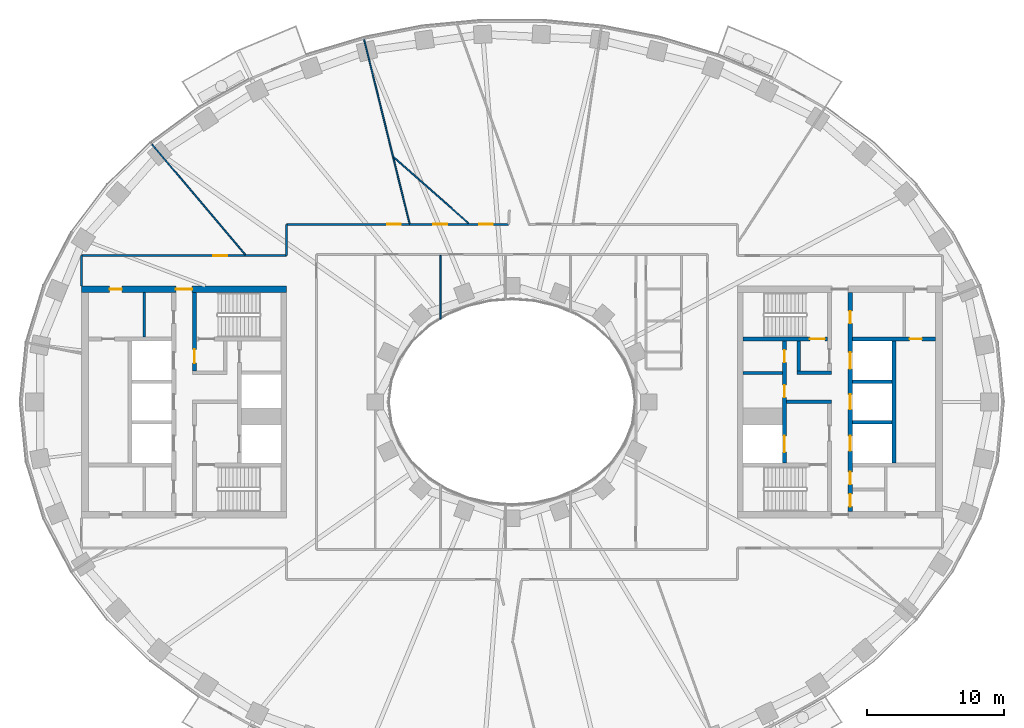
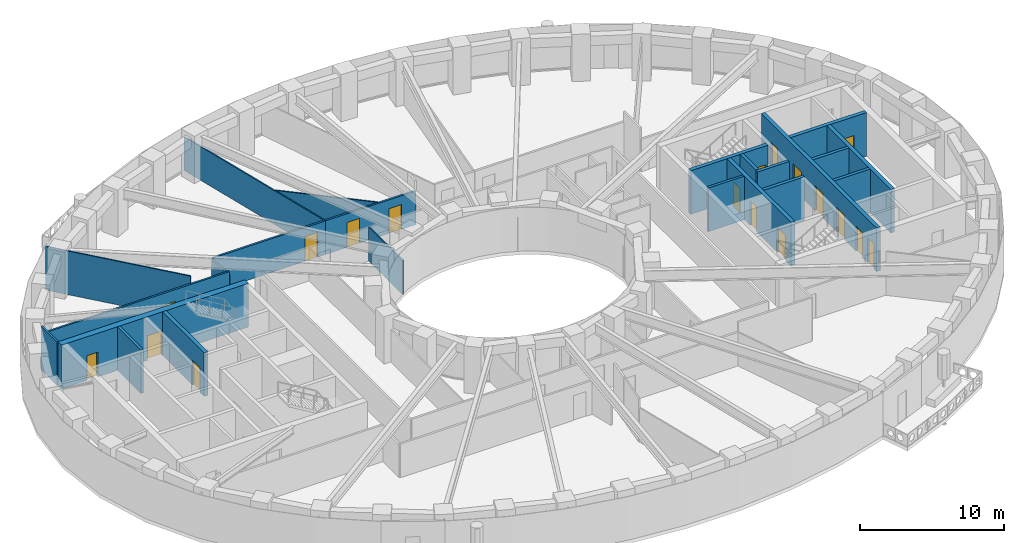
# One storey, part 5 of 15: 23 walls, 18 doors, 18 openings.
"""IFC4 building model written with IfcOpenShell, lengths in metres."""

from ifc_helpers import new_model, si_unit, direction, frame, frame_2d, origin, place, context, subcontext, project, spatial, rectangle, extrude, material, layer, layer_set, type_object, element, fill, save


model = new_model("IFC4")

# Units and contexts
model_context = context("Model", 3, precision=1e-05, world=origin(), true_north=direction((0.0, 1.0)))
body_context = subcontext(model_context, "Body", "Model", "MODEL_VIEW")
ifc_project = project(units=[si_unit("LENGTHUNIT", "METRE"), si_unit("AREAUNIT", "SQUARE_METRE"), si_unit("VOLUMEUNIT", "CUBIC_METRE"), si_unit("PLANEANGLEUNIT", "RADIAN"), si_unit("MASSUNIT", "GRAM", prefix="KILO")], contexts=[model_context])

# Site, building, storey
site_placement = place(None, origin())
site = spatial("IfcSite", under=ifc_project, at=site_placement, CompositionType="ELEMENT")
building_placement = place(site_placement, origin())
building = spatial("IfcBuilding", under=site, at=building_placement, Name="Noorbagh Ring Tower", CompositionType="ELEMENT")
storey_placement = place(building_placement, frame((0.0, 0.0, 104.0)))
storey = spatial("IfcBuildingStorey", under=building, at=storey_placement, Name="L23", CompositionType="ELEMENT", Elevation=104.0)

# Walls
ifc_material_1 = material(Name="Gypsum board on steel studs", Category="steel")
ifc_layer_1 = layer(ifc_material_1, 0.199951171875)
ifc_layer_set_1 = layer_set([ifc_layer_1], Name="Gypsum board on steel studs")
wall_type_1 = type_object("IfcWallType", Name="CORE-PARTITION-200", PredefinedType="PARTITIONING", material=ifc_layer_set_1)
wall_1_placement = place(storey_placement, frame((-26.89990234375, 4.75, 0.0), z_axis=(0.0, 0.0, 1.0), x_axis=(0.0, 1.0, 0.0)))
element("IfcWall", 1, at=wall_1_placement, inside=storey, type_object=wall_type_1, Name="Core partition W", PredefinedType="PARTITIONING", context=body_context, shape_type="SweptSolid", body=[
    extrude(rectangle(XDim=3.25, YDim=0.199951171875, at=frame_2d((1.625, 0.0))), origin(), (0.0, 0.0, 1.0), 3.699951171875),
])
wall_2_placement = place(storey_placement, frame((16.89990234375, 2.125, 0.0), z_axis=(0.0, 0.0, 1.0), x_axis=(1.0, 0.0, 0.0)))
element("IfcWall", 2, at=wall_2_placement, inside=storey, type_object=wall_type_1, Name="Core partition E", PredefinedType="PARTITIONING", context=body_context, shape_type="SweptSolid", body=[
    extrude(rectangle(XDim=2.900146484375, YDim=0.199951171875, at=frame_2d((1.4501953125, 0.0))), origin(), (0.0, 0.0, 1.0), 3.699951171875),
])
ifc_material_2 = material(Name="Concrete C70/85", Category="concrete")
ifc_layer_2 = layer(ifc_material_2, 0.25)
ifc_layer_set_2 = layer_set([ifc_layer_2], Name="Concrete C70/85")
wall_type_2 = type_object("IfcWallType", Name="CORE-WALL-250-C70-85-EI120", PredefinedType="SHEAR", material=ifc_layer_set_2)
for number, where, z_axis, x_axis, name in (
    (3, (24.89990234375, -1.47509765625, 0.0), (0.0, 0.0, 1.0), (1.0, 0.0, 0.0), "Core wall E"),
    (4, (24.89990234375, 1.47509765625, 0.0), (0.0, 0.0, 1.0), (1.0, 0.0, 0.0), "Core wall E"),
):
    element("IfcWall", number, at=place(storey_placement, frame(where, z_axis=z_axis, x_axis=x_axis)), inside=storey, type_object=wall_type_2, Name=name, PredefinedType="SHEAR", context=body_context, shape_type="SweptSolid", body=[
        extrude(rectangle(XDim=2.900146484375, YDim=0.25, at=frame_2d((1.4501953125, 0.0))), origin(), (0.0, 0.0, 1.0), 3.699951171875),
    ])
ifc_material_3 = material(Name="Concrete C70/85", Category="concrete")
ifc_layer_3 = layer(ifc_material_3, 0.25)
ifc_layer_set_3 = layer_set([ifc_layer_3], Name="Concrete C70/85")
wall_type_3 = type_object("IfcWallType", Name="CORE-WALL-250-C70-85-EI240", PredefinedType="SHEAR", material=ifc_layer_set_3)
wall_3_placement = place(storey_placement, frame((20.10009765625, 0.0, 0.0), z_axis=(0.0, 0.0, 1.0), x_axis=(1.0, 0.0, 0.0)))
element("IfcWall", 5, at=wall_3_placement, inside=storey, type_object=wall_type_3, Name="Core wall E", PredefinedType="SHEAR", context=body_context, shape_type="SweptSolid", body=[
    extrude(rectangle(XDim=3.27978515625, YDim=0.25, at=frame_2d((1.639892578125, 0.0))), origin(), (0.0, 0.0, 1.0), 3.699951171875),
])
wall_4_placement = place(storey_placement, frame((20.85009765625, 2.125, 0.0), z_axis=(0.0, 0.0, 1.0), x_axis=(1.0, 0.0, 0.0)))
element("IfcWall", 6, at=wall_4_placement, inside=storey, type_object=wall_type_3, Name="Core wall E", PredefinedType="SHEAR", context=body_context, shape_type="SweptSolid", body=[
    extrude(rectangle(XDim=2.52978515625, YDim=0.25, at=frame_2d((1.264892578125, 0.0))), origin(), (0.0, 0.0, 1.0), 3.699951171875),
])
wall_5_placement = place(storey_placement, frame((20.97509765625, 2.25, 0.0), z_axis=(0.0, 0.0, 1.0), x_axis=(0.0, 1.0, 0.0)))
element("IfcWall", 7, at=wall_5_placement, inside=storey, type_object=wall_type_3, Name="Core wall E", PredefinedType="SHEAR", context=body_context, shape_type="SweptSolid", body=[
    extrude(rectangle(XDim=2.199951171875, YDim=0.25, at=frame_2d((1.10009765625, 0.0))), origin(), (0.0, 0.0, 1.0), 3.699951171875),
])
ifc_material_4 = material(Name="Concrete C70/85", Category="concrete")
ifc_layer_4 = layer(ifc_material_4, 0.300048828125)
ifc_layer_set_4 = layer_set([ifc_layer_4], Name="Concrete C70/85")
wall_type_4 = type_object("IfcWallType", Name="CORE-WALL-300-C70-85-EI120", PredefinedType="SHEAR", material=ifc_layer_set_4)
wall_6_placement = place(storey_placement, frame((27.949951171875, -4.449951171875, 0.0), z_axis=(0.0, 0.0, 1.0), x_axis=(0.0, 1.0, 0.0)))
element("IfcWall", 8, at=wall_6_placement, inside=storey, type_object=wall_type_4, Name="Core wall E", PredefinedType="SHEAR", context=body_context, shape_type="SweptSolid", body=[
    extrude(rectangle(XDim=8.89990234375, YDim=0.300048828125, at=frame_2d((4.449951171875, 0.0))), origin(), (0.0, 0.0, 1.0), 3.699951171875),
])

# Wall, openings, doors
wall_7_placement = place(storey_placement, frame((19.949951171875, -4.449951171875, 0.0), z_axis=(0.0, 0.0, 1.0), x_axis=(0.0, 1.0, 0.0)))
wall_7 = element("IfcWall", 9, at=wall_7_placement, inside=storey, type_object=wall_type_4, Name="Core wall E", PredefinedType="SHEAR", context=body_context, shape_type="SweptSolid", body=[
    extrude(rectangle(XDim=8.89990234375, YDim=0.300048828125, at=frame_2d((4.449951171875, 0.0))), origin(), (0.0, 0.0, 1.0), 3.699951171875),
])
opening_1_placement = place(wall_7_placement, frame((0.77490234375, 0.0, 0.0)))
opening_1 = element("IfcOpeningElement", 10, at=opening_1_placement, cuts=wall_7, Name="Opening L23-CE01", PredefinedType="OPENING", context=body_context, shape_type="SweptSolid", body=[
    extrude(rectangle(XDim=1.199951171875, YDim=2.10009765625, at=frame_2d((0.60009765625, 1.050048828125))), frame((0.0, 0.16015625, 0.0), z_axis=(0.0, -1.0, 0.0), x_axis=(1.0, 0.0, 0.0)), (0.0, 0.0, 1.0), 0.320068359375),
])
opening_2_placement = place(wall_7_placement, frame((4.78759765625, 0.0, 0.0)))
opening_2 = element("IfcOpeningElement", 11, at=opening_2_placement, cuts=wall_7, Name="Opening L23-CE11", PredefinedType="OPENING", context=body_context, shape_type="SweptSolid", body=[
    extrude(rectangle(XDim=0.89990234375, YDim=2.10009765625, at=frame_2d((0.449951171875, 1.050048828125))), frame((0.0, 0.16015625, 0.0), z_axis=(0.0, -1.0, 0.0), x_axis=(1.0, 0.0, 0.0)), (0.0, 0.0, 1.0), 0.320068359375),
])
opening_3_placement = place(wall_7_placement, frame((7.33740234375, 0.0, 0.0)))
opening_3 = element("IfcOpeningElement", 12, at=opening_3_placement, cuts=wall_7, Name="Opening L23-CE12", PredefinedType="OPENING", context=body_context, shape_type="SweptSolid", body=[
    extrude(rectangle(XDim=0.89990234375, YDim=2.10009765625, at=frame_2d((0.449951171875, 1.050048828125))), frame((0.0, 0.16015625, 0.0), z_axis=(0.0, -1.0, 0.0), x_axis=(1.0, 0.0, 0.0)), (0.0, 0.0, 1.0), 0.320068359375),
])
ifc_material_5 = material(Name="Steel door leaf", Category="steel")
door_type_1 = type_object("IfcDoorType", Name="CORE-DOOR-DROOM", OperationType="SINGLE_SWING_LEFT", PredefinedType="DOOR", material=ifc_material_5)
door_1_placement = place(opening_2_placement, origin())
door_1 = element("IfcDoor", 13, at=door_1_placement, inside=storey, type_object=door_type_1, Name="Core room door L23-CE11", OperationType="SINGLE_SWING_RIGHT", OverallHeight=2.10009765625, OverallWidth=0.89990234375, PredefinedType="DOOR", context=body_context, shape_type="SweptSolid", body=[
    extrude(rectangle(XDim=0.89990234375, YDim=2.10009765625, at=frame_2d((0.449951171875, 1.050048828125))), frame((0.0, 0.02490234375, 0.0), z_axis=(0.0, -1.0, 0.0), x_axis=(1.0, 0.0, 0.0)), (0.0, 0.0, 1.0), 0.050048828125),
])
fill(opening_2, door_1)
door_2_placement = place(opening_3_placement, origin())
door_2 = element("IfcDoor", 14, at=door_2_placement, inside=storey, type_object=door_type_1, Name="Core room door L23-CE12", OperationType="SINGLE_SWING_RIGHT", OverallHeight=2.10009765625, OverallWidth=0.89990234375, PredefinedType="DOOR", context=body_context, shape_type="SweptSolid", body=[
    extrude(rectangle(XDim=0.89990234375, YDim=2.10009765625, at=frame_2d((0.449951171875, 1.050048828125))), frame((0.0, 0.02490234375, 0.0), z_axis=(0.0, -1.0, 0.0), x_axis=(1.0, 0.0, 0.0)), (0.0, 0.0, 1.0), 0.050048828125),
])
fill(opening_3, door_2)
ifc_material_6 = material(Name="Steel door leaf", Category="steel")
door_type_2 = type_object("IfcDoorType", Name="CORE-DOOR-LDW", OperationType="DOUBLE_DOOR_SLIDING", PredefinedType="DOOR", material=ifc_material_6)
door_3_placement = place(opening_1_placement, origin())
door_3 = element("IfcDoor", 15, at=door_3_placement, inside=storey, type_object=door_type_2, Name="Landing door FF2 L23-CE01", OperationType="DOUBLE_DOOR_SLIDING", OverallHeight=2.10009765625, OverallWidth=1.199951171875, PredefinedType="DOOR", context=body_context, shape_type="SweptSolid", body=[
    extrude(rectangle(XDim=1.199951171875, YDim=2.10009765625, at=frame_2d((0.60009765625, 1.050048828125))), frame((0.0, 0.02490234375, 0.0), z_axis=(0.0, -1.0, 0.0), x_axis=(1.0, 0.0, 0.0)), (0.0, 0.0, 1.0), 0.050048828125),
])
fill(opening_1, door_3)

wall_8_placement = place(storey_placement, frame((24.75, -8.0, 0.0), z_axis=(0.0, 0.0, 1.0), x_axis=(0.0, 1.0, 0.0)))
wall_8 = element("IfcWall", 16, at=wall_8_placement, inside=storey, type_object=wall_type_4, Name="Core wall E", PredefinedType="SHEAR", context=body_context, shape_type="SweptSolid", body=[
    extrude(rectangle(XDim=16.0, YDim=0.300048828125, at=frame_2d((8.0, 0.0))), origin(), (0.0, 0.0, 1.0), 3.699951171875),
])
opening_4_placement = place(wall_8_placement, frame((4.425048828125, 0.0, 0.0)))
opening_4 = element("IfcOpeningElement", 17, at=opening_4_placement, cuts=wall_8, Name="Opening L23-CE02", PredefinedType="OPENING", context=body_context, shape_type="SweptSolid", body=[
    extrude(rectangle(XDim=1.10009765625, YDim=2.10009765625, at=frame_2d((0.550048828125, 1.050048828125))), frame((0.0, 0.16015625, 0.0), z_axis=(0.0, -1.0, 0.0), x_axis=(1.0, 0.0, 0.0)), (0.0, 0.0, 1.0), 0.320068359375),
])
opening_5_placement = place(wall_8_placement, frame((7.449951171875, 0.0, 0.0)))
opening_5 = element("IfcOpeningElement", 18, at=opening_5_placement, cuts=wall_8, Name="Opening L23-CE03", PredefinedType="OPENING", context=body_context, shape_type="SweptSolid", body=[
    extrude(rectangle(XDim=1.10009765625, YDim=2.10009765625, at=frame_2d((0.550048828125, 1.050048828125))), frame((0.0, 0.16015625, 0.0), z_axis=(0.0, -1.0, 0.0), x_axis=(1.0, 0.0, 0.0)), (0.0, 0.0, 1.0), 0.320068359375),
])
opening_6_placement = place(wall_8_placement, frame((10.425048828125, 0.0, 0.0)))
opening_6 = element("IfcOpeningElement", 19, at=opening_6_placement, cuts=wall_8, Name="Opening L23-CE04", PredefinedType="OPENING", context=body_context, shape_type="SweptSolid", body=[
    extrude(rectangle(XDim=1.199951171875, YDim=2.10009765625, at=frame_2d((0.60009765625, 1.050048828125))), frame((0.0, 0.16015625, 0.0), z_axis=(0.0, -1.0, 0.0), x_axis=(1.0, 0.0, 0.0)), (0.0, 0.0, 1.0), 0.320068359375),
])
opening_7_placement = place(wall_8_placement, frame((13.75, 0.0, 0.0)))
opening_7 = element("IfcOpeningElement", 20, at=opening_7_placement, cuts=wall_8, Name="Opening L23-CE13", PredefinedType="OPENING", context=body_context, shape_type="SweptSolid", body=[
    extrude(rectangle(XDim=0.89990234375, YDim=2.10009765625, at=frame_2d((0.449951171875, 1.050048828125))), frame((0.0, 0.16015625, 0.0), z_axis=(0.0, -1.0, 0.0), x_axis=(1.0, 0.0, 0.0)), (0.0, 0.0, 1.0), 0.320068359375),
])
opening_8_placement = place(wall_8_placement, frame((1.97509765625, 0.0, 0.0)))
opening_8 = element("IfcOpeningElement", 21, at=opening_8_placement, cuts=wall_8, Name="Opening L23-CE15", PredefinedType="OPENING", context=body_context, shape_type="SweptSolid", body=[
    extrude(rectangle(XDim=0.89990234375, YDim=2.10009765625, at=frame_2d((0.449951171875, 1.050048828125))), frame((0.0, 0.16015625, 0.0), z_axis=(0.0, -1.0, 0.0), x_axis=(1.0, 0.0, 0.0)), (0.0, 0.0, 1.0), 0.320068359375),
])
opening_9_placement = place(wall_8_placement, frame((0.35009765625, 0.0, 0.0)))
opening_9 = element("IfcOpeningElement", 22, at=opening_9_placement, cuts=wall_8, Name="Opening L23-CE16", PredefinedType="OPENING", context=body_context, shape_type="SweptSolid", body=[
    extrude(rectangle(XDim=0.89990234375, YDim=2.10009765625, at=frame_2d((0.449951171875, 1.050048828125))), frame((0.0, 0.16015625, 0.0), z_axis=(0.0, -1.0, 0.0), x_axis=(1.0, 0.0, 0.0)), (0.0, 0.0, 1.0), 0.320068359375),
])
door_4_placement = place(opening_7_placement, origin())
door_4 = element("IfcDoor", 23, at=door_4_placement, inside=storey, type_object=door_type_1, Name="Core room door L23-CE13", OperationType="SINGLE_SWING_LEFT", OverallHeight=2.10009765625, OverallWidth=0.89990234375, PredefinedType="DOOR", context=body_context, shape_type="SweptSolid", body=[
    extrude(rectangle(XDim=0.89990234375, YDim=2.10009765625, at=frame_2d((0.449951171875, 1.050048828125))), frame((0.0, 0.02490234375, 0.0), z_axis=(0.0, -1.0, 0.0), x_axis=(1.0, 0.0, 0.0)), (0.0, 0.0, 1.0), 0.050048828125),
])
fill(opening_7, door_4)
door_5_placement = place(opening_8_placement, origin())
door_5 = element("IfcDoor", 24, at=door_5_placement, inside=storey, type_object=door_type_1, Name="Core room door L23-CE15", OperationType="SINGLE_SWING_LEFT", OverallHeight=2.10009765625, OverallWidth=0.89990234375, PredefinedType="DOOR", context=body_context, shape_type="SweptSolid", body=[
    extrude(rectangle(XDim=0.89990234375, YDim=2.10009765625, at=frame_2d((0.449951171875, 1.050048828125))), frame((0.0, 0.02490234375, 0.0), z_axis=(0.0, -1.0, 0.0), x_axis=(1.0, 0.0, 0.0)), (0.0, 0.0, 1.0), 0.050048828125),
])
fill(opening_8, door_5)
door_6_placement = place(opening_9_placement, origin())
door_6 = element("IfcDoor", 25, at=door_6_placement, inside=storey, type_object=door_type_1, Name="Core room door L23-CE16", OperationType="SINGLE_SWING_RIGHT", OverallHeight=2.10009765625, OverallWidth=0.89990234375, PredefinedType="DOOR", context=body_context, shape_type="SweptSolid", body=[
    extrude(rectangle(XDim=0.89990234375, YDim=2.10009765625, at=frame_2d((0.449951171875, 1.050048828125))), frame((0.0, 0.02490234375, 0.0), z_axis=(0.0, -1.0, 0.0), x_axis=(1.0, 0.0, 0.0)), (0.0, 0.0, 1.0), 0.050048828125),
])
fill(opening_9, door_6)
ifc_material_7 = material(Name="Steel door leaf", Category="steel")
door_type_3 = type_object("IfcDoorType", Name="CORE-DOOR-LD", OperationType="DOUBLE_DOOR_SLIDING", PredefinedType="DOOR", material=ifc_material_7)
door_7_placement = place(opening_4_placement, origin())
door_7 = element("IfcDoor", 26, at=door_7_placement, inside=storey, type_object=door_type_3, Name="Landing door LR3 L23-CE02", OperationType="DOUBLE_DOOR_SLIDING", OverallHeight=2.10009765625, OverallWidth=1.10009765625, PredefinedType="DOOR", context=body_context, shape_type="SweptSolid", body=[
    extrude(rectangle(XDim=1.10009765625, YDim=2.10009765625, at=frame_2d((0.550048828125, 1.050048828125))), frame((0.0, 0.02490234375, 0.0), z_axis=(0.0, -1.0, 0.0), x_axis=(1.0, 0.0, 0.0)), (0.0, 0.0, 1.0), 0.050048828125),
])
fill(opening_4, door_7)
door_8_placement = place(opening_5_placement, origin())
door_8 = element("IfcDoor", 27, at=door_8_placement, inside=storey, type_object=door_type_3, Name="Landing door LR4 L23-CE03", OperationType="DOUBLE_DOOR_SLIDING", OverallHeight=2.10009765625, OverallWidth=1.10009765625, PredefinedType="DOOR", context=body_context, shape_type="SweptSolid", body=[
    extrude(rectangle(XDim=1.10009765625, YDim=2.10009765625, at=frame_2d((0.550048828125, 1.050048828125))), frame((0.0, 0.02490234375, 0.0), z_axis=(0.0, -1.0, 0.0), x_axis=(1.0, 0.0, 0.0)), (0.0, 0.0, 1.0), 0.050048828125),
])
fill(opening_5, door_8)
door_9_placement = place(opening_6_placement, origin())
door_9 = element("IfcDoor", 28, at=door_9_placement, inside=storey, type_object=door_type_2, Name="Landing door SV2 L23-CE04", OperationType="DOUBLE_DOOR_SLIDING", OverallHeight=2.10009765625, OverallWidth=1.199951171875, PredefinedType="DOOR", context=body_context, shape_type="SweptSolid", body=[
    extrude(rectangle(XDim=1.199951171875, YDim=2.10009765625, at=frame_2d((0.60009765625, 1.050048828125))), frame((0.0, 0.02490234375, 0.0), z_axis=(0.0, -1.0, 0.0), x_axis=(1.0, 0.0, 0.0)), (0.0, 0.0, 1.0), 0.050048828125),
])
fill(opening_6, door_9)

# Wall, opening, door
ifc_material_8 = material(Name="Concrete C70/85", Category="concrete")
ifc_layer_5 = layer(ifc_material_8, 0.300048828125)
ifc_layer_set_5 = layer_set([ifc_layer_5], Name="Concrete C70/85")
wall_type_5 = type_object("IfcWallType", Name="CORE-WALL-300-C70-85-EI240", PredefinedType="SHEAR", material=ifc_layer_set_5)
wall_9_placement = place(storey_placement, frame((-23.22998046875, 2.25, 0.0), z_axis=(0.0, 0.0, 1.0), x_axis=(0.0, 1.0, 0.0)))
wall_9 = element("IfcWall", 29, at=wall_9_placement, inside=storey, type_object=wall_type_5, Name="Core wall W", PredefinedType="SHEAR", context=body_context, shape_type="SweptSolid", body=[
    extrude(rectangle(XDim=5.75, YDim=0.300048828125, at=frame_2d((2.875, 0.0))), origin(), (0.0, 0.0, 1.0), 3.699951171875),
])
opening_10_placement = place(wall_9_placement, frame((0.60009765625, 0.0, 0.0)))
opening_10 = element("IfcOpeningElement", 30, at=opening_10_placement, cuts=wall_9, Name="Opening L23-CW08", PredefinedType="OPENING", context=body_context, shape_type="SweptSolid", body=[
    extrude(rectangle(XDim=1.0, YDim=2.10009765625, at=frame_2d((0.5, 1.050048828125))), frame((0.0, 0.16015625, 0.0), z_axis=(0.0, -1.0, 0.0), x_axis=(1.0, 0.0, 0.0)), (0.0, 0.0, 1.0), 0.320068359375),
])
ifc_material_9 = material(Name="Steel door leaf", Category="steel")
door_type_4 = type_object("IfcDoorType", Name="CORE-DOOR-DVEST", OperationType="SINGLE_SWING_LEFT", PredefinedType="DOOR", material=ifc_material_9)
door_10_placement = place(opening_10_placement, origin())
door_10 = element("IfcDoor", 31, at=door_10_placement, inside=storey, type_object=door_type_4, Name="Stair vestibule door L23-CW08", OperationType="SINGLE_SWING_LEFT", OverallHeight=2.10009765625, OverallWidth=1.0, PredefinedType="DOOR", context=body_context, shape_type="SweptSolid", body=[
    extrude(rectangle(XDim=1.0, YDim=2.10009765625, at=frame_2d((0.5, 1.050048828125))), frame((0.0, 0.02490234375, 0.0), z_axis=(0.0, -1.0, 0.0), x_axis=(1.0, 0.0, 0.0)), (0.0, 0.0, 1.0), 0.050048828125),
])
fill(opening_10, door_10)

wall_10_placement = place(storey_placement, frame((24.89990234375, 4.60009765625, 0.0), z_axis=(0.0, 0.0, 1.0), x_axis=(1.0, 0.0, 0.0)))
wall_10 = element("IfcWall", 32, at=wall_10_placement, inside=storey, type_object=wall_type_5, Name="Core wall E", PredefinedType="SHEAR", context=body_context, shape_type="SweptSolid", body=[
    extrude(rectangle(XDim=6.10009765625, YDim=0.300048828125, at=frame_2d((3.050048828125, 0.0))), origin(), (0.0, 0.0, 1.0), 3.699951171875),
])
opening_11_placement = place(wall_10_placement, frame((4.199951171875, 0.0, 0.0)))
opening_11 = element("IfcOpeningElement", 33, at=opening_11_placement, cuts=wall_10, Name="Opening L23-CE18", PredefinedType="OPENING", context=body_context, shape_type="SweptSolid", body=[
    extrude(rectangle(XDim=0.89990234375, YDim=2.10009765625, at=frame_2d((0.449951171875, 1.050048828125))), frame((0.0, 0.16015625, 0.0), z_axis=(0.0, -1.0, 0.0), x_axis=(1.0, 0.0, 0.0)), (0.0, 0.0, 1.0), 0.320068359375),
])
door_11_placement = place(opening_11_placement, origin())
door_11 = element("IfcDoor", 34, at=door_11_placement, inside=storey, type_object=door_type_1, Name="Core room door L23-CE18", OperationType="SINGLE_SWING_RIGHT", OverallHeight=2.10009765625, OverallWidth=0.89990234375, PredefinedType="DOOR", context=body_context, shape_type="SweptSolid", body=[
    extrude(rectangle(XDim=0.89990234375, YDim=2.10009765625, at=frame_2d((0.449951171875, 1.050048828125))), frame((0.0, 0.02490234375, 0.0), z_axis=(0.0, -1.0, 0.0), x_axis=(1.0, 0.0, 0.0)), (0.0, 0.0, 1.0), 0.050048828125),
])
fill(opening_11, door_11)

wall_11_placement = place(storey_placement, frame((16.89990234375, 4.60009765625, 0.0), z_axis=(0.0, 0.0, 1.0), x_axis=(1.0, 0.0, 0.0)))
wall_11 = element("IfcWall", 35, at=wall_11_placement, inside=storey, type_object=wall_type_5, Name="Core wall E", PredefinedType="SHEAR", context=body_context, shape_type="SweptSolid", body=[
    extrude(rectangle(XDim=6.18017578125, YDim=0.300048828125, at=frame_2d((3.090087890625, 0.0))), origin(), (0.0, 0.0, 1.0), 3.699951171875),
])
opening_12_placement = place(wall_11_placement, frame((4.89990234375, 0.0, 0.0)))
opening_12 = element("IfcOpeningElement", 36, at=opening_12_placement, cuts=wall_11, Name="Opening L23-CE05", PredefinedType="OPENING", context=body_context, shape_type="SweptSolid", body=[
    extrude(rectangle(XDim=1.10009765625, YDim=2.10009765625, at=frame_2d((0.550048828125, 1.050048828125))), frame((0.0, 0.16015625, 0.0), z_axis=(0.0, -1.0, 0.0), x_axis=(1.0, 0.0, 0.0)), (0.0, 0.0, 1.0), 0.320068359375),
])
ifc_material_10 = material(Name="Steel door leaf", Category="steel")
door_type_5 = type_object("IfcDoorType", Name="CORE-DOOR-DSTAIR", OperationType="SINGLE_SWING_LEFT", PredefinedType="DOOR", material=ifc_material_10)
door_12_placement = place(opening_12_placement, origin())
door_12 = element("IfcDoor", 37, at=door_12_placement, inside=storey, type_object=door_type_5, Name="Stair door ST3 L23-CE05", OperationType="SINGLE_SWING_LEFT", OverallHeight=2.10009765625, OverallWidth=1.10009765625, PredefinedType="DOOR", context=body_context, shape_type="SweptSolid", body=[
    extrude(rectangle(XDim=1.10009765625, YDim=2.10009765625, at=frame_2d((0.550048828125, 1.050048828125))), frame((0.0, 0.02490234375, 0.0), z_axis=(0.0, -1.0, 0.0), x_axis=(1.0, 0.0, 0.0)), (0.0, 0.0, 1.0), 0.050048828125),
])
fill(opening_12, door_12)

# Wall, openings, doors
ifc_material_11 = material(Name="Concrete C70/85", Category="concrete")
ifc_layer_6 = layer(ifc_material_11, 0.5)
ifc_layer_set_6 = layer_set([ifc_layer_6], Name="Concrete C70/85")
wall_type_6 = type_object("IfcWallType", Name="CORE-WALL-500-C70-85-EI240", PredefinedType="SHEAR", material=ifc_layer_set_6)
wall_12_placement = place(storey_placement, frame((-16.5, 8.25, 0.0), z_axis=(0.0, 0.0, 1.0), x_axis=(-1.0, 0.0, 0.0)))
wall_12 = element("IfcWall", 38, at=wall_12_placement, inside=storey, type_object=wall_type_6, Name="Core wall W", PredefinedType="SHEAR", context=body_context, shape_type="SweptSolid", body=[
    extrude(rectangle(XDim=15.0, YDim=0.5, at=frame_2d((7.5, 0.0))), origin(), (0.0, 0.0, 1.0), 3.699951171875),
])
opening_13_placement = place(wall_12_placement, frame((6.89990234375, 0.0, 0.0)))
opening_13 = element("IfcOpeningElement", 39, at=opening_13_placement, cuts=wall_12, Name="Opening L23-CW09", PredefinedType="OPENING", context=body_context, shape_type="SweptSolid", body=[
    extrude(rectangle(XDim=1.199951171875, YDim=2.10009765625, at=frame_2d((0.60009765625, 1.050048828125))), frame((0.0, 0.260009765625, 0.0), z_axis=(0.0, -1.0, 0.0), x_axis=(1.0, 0.0, 0.0)), (0.0, 0.0, 1.0), 0.52001953125),
])
opening_14_placement = place(wall_12_placement, frame((12.050048828125, 0.0, 0.0)))
opening_14 = element("IfcOpeningElement", 40, at=opening_14_placement, cuts=wall_12, Name="Opening L23-CW13", PredefinedType="OPENING", context=body_context, shape_type="SweptSolid", body=[
    extrude(rectangle(XDim=0.89990234375, YDim=2.10009765625, at=frame_2d((0.449951171875, 1.050048828125))), frame((0.0, 0.260009765625, 0.0), z_axis=(0.0, -1.0, 0.0), x_axis=(1.0, 0.0, 0.0)), (0.0, 0.0, 1.0), 0.52001953125),
])
door_13_placement = place(opening_14_placement, origin())
door_13 = element("IfcDoor", 41, at=door_13_placement, inside=storey, type_object=door_type_1, Name="Core room door L23-CW13", OperationType="SINGLE_SWING_RIGHT", OverallHeight=2.10009765625, OverallWidth=0.89990234375, PredefinedType="DOOR", context=body_context, shape_type="SweptSolid", body=[
    extrude(rectangle(XDim=0.89990234375, YDim=2.10009765625, at=frame_2d((0.449951171875, 1.050048828125))), frame((0.0, 0.02490234375, 0.0), z_axis=(0.0, -1.0, 0.0), x_axis=(1.0, 0.0, 0.0)), (0.0, 0.0, 1.0), 0.050048828125),
])
fill(opening_14, door_13)
ifc_material_12 = material(Name="Steel door leaf", Category="steel")
door_type_6 = type_object("IfcDoorType", Name="CORE-DOOR-PORT", OperationType="DOUBLE_DOOR_DOUBLE_SWING", PredefinedType="DOOR", material=ifc_material_12)
door_14_placement = place(opening_13_placement, origin())
door_14 = element("IfcDoor", 42, at=door_14_placement, inside=storey, type_object=door_type_6, Name="Core entrance door L23-CW09", OperationType="DOUBLE_DOOR_DOUBLE_SWING", OverallHeight=2.10009765625, OverallWidth=1.199951171875, PredefinedType="DOOR", context=body_context, shape_type="SweptSolid", body=[
    extrude(rectangle(XDim=1.199951171875, YDim=2.10009765625, at=frame_2d((0.60009765625, 1.050048828125))), frame((0.0, 0.02490234375, 0.0), z_axis=(0.0, -1.0, 0.0), x_axis=(1.0, 0.0, 0.0)), (0.0, 0.0, 1.0), 0.050048828125),
])
fill(opening_13, door_14)

# Wall
ifc_material_13 = material(Name="Gypsum board on steel studs", Category="steel")
ifc_layer_7 = layer(ifc_material_13, 0.14990234375)
ifc_layer_set_7 = layer_set([ifc_layer_7], Name="Gypsum board on steel studs")
wall_type_7 = type_object("IfcWallType", Name="CORRIDOR PARTITION 150 EI 30", PredefinedType="PARTITIONING", material=ifc_layer_set_7)
wall_13_placement = place(storey_placement, frame((-31.5, 8.5, 0.0), z_axis=(0.0, 0.0, 1.0), x_axis=(0.0, 1.0, 0.0)))
element("IfcWall", 43, at=wall_13_placement, inside=storey, type_object=wall_type_7, Name="L23/wall/P05", PredefinedType="PARTITIONING", context=body_context, shape_type="SweptSolid", body=[
    extrude(rectangle(XDim=2.199951171875, YDim=0.14990234375, at=frame_2d((1.10009765625, 0.0))), origin(), (0.0, 0.0, 1.0), 3.699951171875),
])

# Wall, opening, door
wall_14_placement = place(storey_placement, frame((-31.5, 10.699951171875, 0.0), z_axis=(0.0, 0.0, 1.0), x_axis=(1.0, 0.0, 0.0)))
wall_14 = element("IfcWall", 44, at=wall_14_placement, inside=storey, type_object=wall_type_7, Name="L23/wall/P06", PredefinedType="PARTITIONING", context=body_context, shape_type="SweptSolid", body=[
    extrude(rectangle(XDim=15.0, YDim=0.14990234375, at=frame_2d((7.5, 0.0))), origin(), (0.0, 0.0, 1.0), 3.10009765625),
])
opening_15_placement = place(wall_14_placement, frame((9.655029296875, 0.0, 0.0)))
opening_15 = element("IfcOpeningElement", 45, at=opening_15_placement, cuts=wall_14, Name="Opening D1", PredefinedType="OPENING", context=body_context, shape_type="SweptSolid", body=[
    extrude(rectangle(XDim=1.0, YDim=2.10009765625, at=frame_2d((0.5, 1.050048828125))), frame((0.0, 0.0849609375, 0.0), z_axis=(0.0, -1.0, 0.0), x_axis=(1.0, 0.0, 0.0)), (0.0, 0.0, 1.0), 0.169921875),
])
ifc_material_14 = material(Name="Timber, painted", Category="wood")
door_type_7 = type_object("IfcDoorType", Name="DOOR 1000 X 2100 FD30", OperationType="SINGLE_SWING_LEFT", PredefinedType="DOOR", material=ifc_material_14)
door_15_placement = place(opening_15_placement, origin())
door_15 = element("IfcDoor", 46, at=door_15_placement, inside=storey, type_object=door_type_7, Name="L23-D07", OperationType="SINGLE_SWING_LEFT", OverallHeight=2.10009765625, OverallWidth=1.0, PredefinedType="DOOR", context=body_context, shape_type="SweptSolid", body=[
    extrude(rectangle(XDim=1.0, YDim=2.10009765625, at=frame_2d((0.5, 1.050048828125))), frame((0.0, 0.02490234375, 0.0), z_axis=(0.0, -1.0, 0.0), x_axis=(1.0, 0.0, 0.0)), (0.0, 0.0, 1.0), 0.050048828125),
])
fill(opening_15, door_15)

# Wall
wall_15_placement = place(storey_placement, frame((-16.5, 10.699951171875, 0.0), z_axis=(0.0, 0.0, 1.0), x_axis=(0.0, 1.0, 0.0)))
element("IfcWall", 47, at=wall_15_placement, inside=storey, type_object=wall_type_7, Name="L23/wall/P10", PredefinedType="PARTITIONING", context=body_context, shape_type="SweptSolid", body=[
    extrude(rectangle(XDim=2.300048828125, YDim=0.14990234375, at=frame_2d((1.14990234375, 0.0))), origin(), (0.0, 0.0, 1.0), 2.75),
])

# Wall, opening, door
wall_16_placement = place(storey_placement, frame((-16.5, 13.0, 0.0), z_axis=(0.0, 0.0, 1.0), x_axis=(1.0, 0.0, 0.0)))
wall_16 = element("IfcWall", 48, at=wall_16_placement, inside=storey, type_object=wall_type_7, Name="L23/wall/P11", PredefinedType="PARTITIONING", context=body_context, shape_type="SweptSolid", body=[
    extrude(rectangle(XDim=9.0009765625, YDim=0.14990234375, at=frame_2d((4.50048828125, 0.0))), origin(), (0.0, 0.0, 1.0), 2.85009765625),
])
opening_16_placement = place(wall_16_placement, frame((7.366943359375, 0.0, 0.0)))
opening_16 = element("IfcOpeningElement", 49, at=opening_16_placement, cuts=wall_16, Name="Opening D1", PredefinedType="OPENING", context=body_context, shape_type="SweptSolid", body=[
    extrude(rectangle(XDim=1.0, YDim=2.10009765625, at=frame_2d((0.5, 1.050048828125))), frame((0.0, 0.0849609375, 0.0), z_axis=(0.0, -1.0, 0.0), x_axis=(1.0, 0.0, 0.0)), (0.0, 0.0, 1.0), 0.169921875),
])
door_16_placement = place(opening_16_placement, origin())
door_16 = element("IfcDoor", 50, at=door_16_placement, inside=storey, type_object=door_type_7, Name="L23-D09", OperationType="SINGLE_SWING_LEFT", OverallHeight=2.10009765625, OverallWidth=1.0, PredefinedType="DOOR", context=body_context, shape_type="SweptSolid", body=[
    extrude(rectangle(XDim=1.0, YDim=2.10009765625, at=frame_2d((0.5, 1.050048828125))), frame((0.0, 0.02490234375, 0.0), z_axis=(0.0, -1.0, 0.0), x_axis=(1.0, 0.0, 0.0)), (0.0, 0.0, 1.0), 0.050048828125),
])
fill(opening_16, door_16)

# Wall, openings, doors
wall_17_placement = place(storey_placement, frame((-7.48291015625, 13.0, 0.0), z_axis=(0.0, 0.0, 1.0), x_axis=(1.0, 0.0, 0.0)))
wall_17 = element("IfcWall", 51, at=wall_17_placement, inside=storey, type_object=wall_type_7, Name="L23/wall/P18", PredefinedType="PARTITIONING", context=body_context, shape_type="SweptSolid", body=[
    extrude(rectangle(XDim=7.239013671875, YDim=0.14990234375, at=frame_2d((3.61962890625, 0.0))), origin(), (0.0, 0.0, 1.0), 2.85009765625),
])
opening_17_placement = place(wall_17_placement, frame((5.089111328125, 0.0, 0.0)))
opening_17 = element("IfcOpeningElement", 52, at=opening_17_placement, cuts=wall_17, Name="Opening D1", PredefinedType="OPENING", context=body_context, shape_type="SweptSolid", body=[
    extrude(rectangle(XDim=1.0, YDim=2.10009765625, at=frame_2d((0.5, 1.050048828125))), frame((0.0, 0.0849609375, 0.0), z_axis=(0.0, -1.0, 0.0), x_axis=(1.0, 0.0, 0.0)), (0.0, 0.0, 1.0), 0.169921875),
])
opening_18_placement = place(wall_17_placement, frame((1.73388671875, 0.0, 0.0)))
opening_18 = element("IfcOpeningElement", 53, at=opening_18_placement, cuts=wall_17, Name="Opening D1", PredefinedType="OPENING", context=body_context, shape_type="SweptSolid", body=[
    extrude(rectangle(XDim=1.0, YDim=2.10009765625, at=frame_2d((0.5, 1.050048828125))), frame((0.0, 0.0849609375, 0.0), z_axis=(0.0, -1.0, 0.0), x_axis=(1.0, 0.0, 0.0)), (0.0, 0.0, 1.0), 0.169921875),
])
door_17_placement = place(opening_17_placement, origin())
door_17 = element("IfcDoor", 54, at=door_17_placement, inside=storey, type_object=door_type_7, Name="L23-D10", OperationType="SINGLE_SWING_RIGHT", OverallHeight=2.10009765625, OverallWidth=1.0, PredefinedType="DOOR", context=body_context, shape_type="SweptSolid", body=[
    extrude(rectangle(XDim=1.0, YDim=2.10009765625, at=frame_2d((0.5, 1.050048828125))), frame((0.0, 0.02490234375, 0.0), z_axis=(0.0, -1.0, 0.0), x_axis=(1.0, 0.0, 0.0)), (0.0, 0.0, 1.0), 0.050048828125),
])
fill(opening_17, door_17)
door_18_placement = place(opening_18_placement, origin())
door_18 = element("IfcDoor", 55, at=door_18_placement, inside=storey, type_object=door_type_7, Name="L23-D11", OperationType="SINGLE_SWING_LEFT", OverallHeight=2.10009765625, OverallWidth=1.0, PredefinedType="DOOR", context=body_context, shape_type="SweptSolid", body=[
    extrude(rectangle(XDim=1.0, YDim=2.10009765625, at=frame_2d((0.5, 1.050048828125))), frame((0.0, 0.02490234375, 0.0), z_axis=(0.0, -1.0, 0.0), x_axis=(1.0, 0.0, 0.0)), (0.0, 0.0, 1.0), 0.050048828125),
])
fill(opening_18, door_18)

# Walls
ifc_material_15 = material(Name="Gypsum board on steel studs", Category="steel")
ifc_layer_8 = layer(ifc_material_15, 0.10009765625)
ifc_layer_set_8 = layer_set([ifc_layer_8], Name="Gypsum board on steel studs")
wall_type_8 = type_object("IfcWallType", Name="PARTITION 100 GYPSUM", PredefinedType="PARTITIONING", material=ifc_layer_set_8)
wall_18_placement = place(storey_placement, frame((-26.429931640625, 18.945068359375, 0.0), z_axis=(0.0, 0.0, 1.0), x_axis=(0.646400187952, -0.762998556365, 0.0)))
element("IfcWall", 56, at=wall_18_placement, inside=storey, type_object=wall_type_8, Name="L23/wall/P07", PredefinedType="PARTITIONING", context=body_context, shape_type="SweptSolid", body=[
    extrude(rectangle(XDim=10.703857421875, YDim=0.10009765625, at=frame_2d((5.35205078125, 0.0))), origin(), (0.0, 0.0, 1.0), 3.699951171875),
])
wall_19_placement = place(storey_placement, frame((-10.85302734375, 26.64599609375, 0.0), z_axis=(0.0, 0.0, 1.0), x_axis=(0.239763745499, -0.97083126564, 0.0)))
element("IfcWall", 57, at=wall_19_placement, inside=storey, type_object=wall_type_8, Name="L23/wall/P15", PredefinedType="PARTITIONING", context=body_context, shape_type="SweptSolid", body=[
    extrude(rectangle(XDim=14.055908203125, YDim=0.10009765625, at=frame_2d((7.02783203125, 0.0))), origin(), (0.0, 0.0, 1.0), 2.85009765625),
])
wall_20_placement = place(storey_placement, frame((-8.64208984375, 17.903076171875, 0.0), z_axis=(0.0, 0.0, 1.0), x_axis=(0.749027274438, -0.662539162728, 0.0)))
element("IfcWall", 58, at=wall_20_placement, inside=storey, type_object=wall_type_8, Name="L23/wall/P17", PredefinedType="PARTITIONING", context=body_context, shape_type="SweptSolid", body=[
    extrude(rectangle(XDim=7.282958984375, YDim=0.10009765625, at=frame_2d((3.6416015625, 0.0))), origin(), (0.0, 0.0, 1.0), 2.85009765625),
])
wall_21_placement = place(storey_placement, frame((-5.242919921875, 6.05908203125, 0.0), z_axis=(0.0, 0.0, 1.0), x_axis=(0.0, 1.0, 0.0)))
element("IfcWall", 59, at=wall_21_placement, inside=storey, type_object=wall_type_8, Name="L23/wall/P20", PredefinedType="PARTITIONING", context=body_context, shape_type="SweptSolid", body=[
    extrude(rectangle(XDim=4.666015625, YDim=0.10009765625, at=frame_2d((2.3330078125, 0.0))), origin(), (0.0, 0.0, 1.0), 2.89990234375),
])

save(model, "model.ifc")
